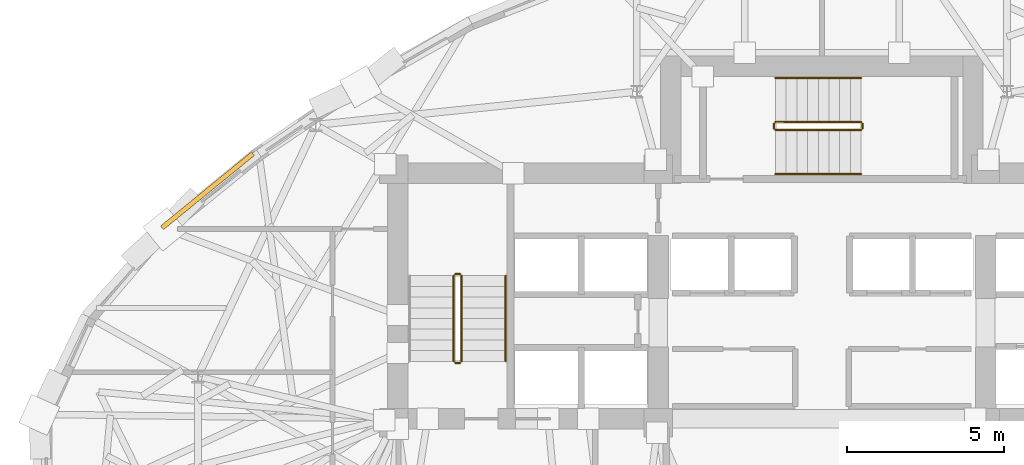
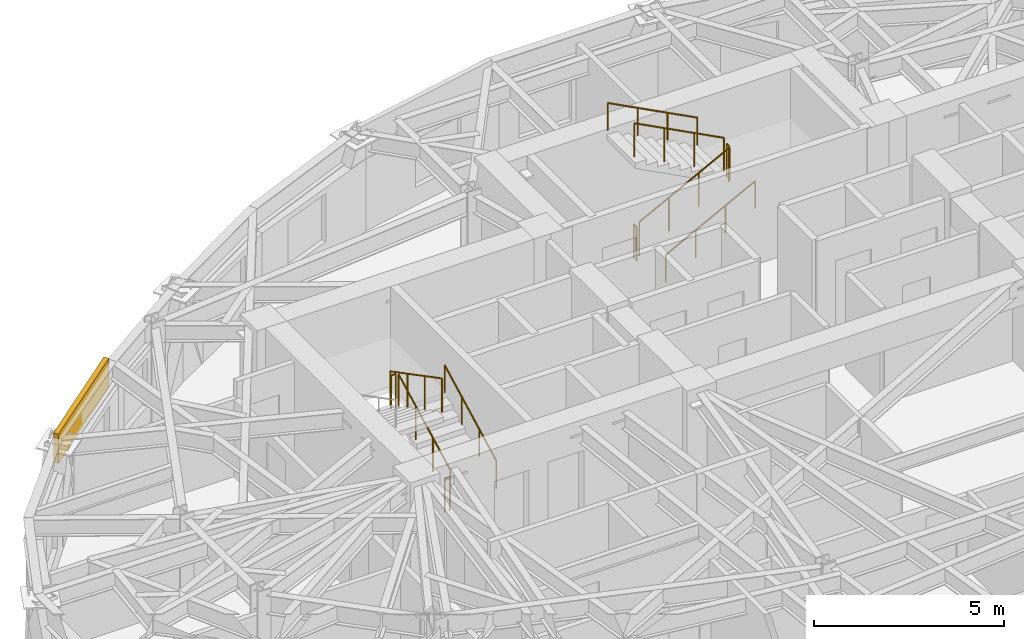
# One storey, part 12 of 14: 11 railings, 1 covering.
"""IFC4 building model written with IfcOpenShell, lengths in metres."""

from ifc_helpers import new_model, si_unit, direction, frame, origin, origin_2d, place, context, subcontext, project, spatial, rectangle, circle, extrude, material, layer, layer_set, type_object, element, save


model = new_model("IFC4")

# Units and contexts
model_context = context("Model", 3, precision=1e-05, world=origin(), true_north=direction((0.0, 1.0)))
body_context = subcontext(model_context, "Body", "Model", "MODEL_VIEW")
ifc_project = project(units=[si_unit("LENGTHUNIT", "METRE"), si_unit("AREAUNIT", "SQUARE_METRE"), si_unit("VOLUMEUNIT", "CUBIC_METRE"), si_unit("PLANEANGLEUNIT", "RADIAN"), si_unit("MASSUNIT", "GRAM", prefix="KILO")], contexts=[model_context])

# Site, building, storey
site_placement = place(None, origin())
site = spatial("IfcSite", under=ifc_project, at=site_placement, CompositionType="ELEMENT")
building_placement = place(site_placement, origin())
building = spatial("IfcBuilding", under=site, at=building_placement, Name="Keldmark Tower", CompositionType="ELEMENT")
storey_placement = place(building_placement, frame((0.0, 0.0, 182.199951171875)))
storey = spatial("IfcBuildingStorey", under=building, at=storey_placement, Name="L50", CompositionType="ELEMENT", Elevation=182.199951171875)

# Covering
ifc_material_1 = material(Name="Honed Kasota Buff Dolomitic Limestone", Category="masonry")
ifc_layer = layer(ifc_material_1, 0.074951171875)
ifc_layer_set = layer_set([ifc_layer], Name="Honed Kasota Buff Dolomitic Limestone")
covering_type = type_object("IfcCoveringType", Name="Kasota Buff Limestone Spandrel Cladding Band", PredefinedType="CLADDING", material=ifc_layer_set)
covering_placement = place(storey_placement, frame((-19.521240234375, 8.769287109375, 2.239013671875), z_axis=(0.0, 0.0, 1.0), x_axis=(-0.775198139082, -0.631718169094, 0.0)))
element("IfcCovering", 1, at=covering_placement, inside=storey, type_object=covering_type, Name="L50 Kasota Limestone Spandrel Band 13", PredefinedType="CLADDING", context=body_context, shape_type="SweptSolid", body=[
    extrude(rectangle(XDim=3.727294921875, YDim=0.14990234375, at=origin_2d()), origin(), (0.0, 0.0, 1.0), 0.94091796875),
])

# Railings
ifc_material_2 = material(Name="Painted Steel ASTM A500 Grade B", Category="steel")
railing_type_1 = type_object("IfcRailingType", Name="Painted Steel Stair Well Guard 1100 mm", PredefinedType="GUARDRAIL", material=ifc_material_2)
railing_1_placement = place(storey_placement, frame((-11.449951171875, 3.35009765625, 0.177734375)))
element("IfcRailing", 2, at=railing_1_placement, inside=storey, type_object=railing_type_1, Name="L50 ST1 stair guard 1", PredefinedType="GUARDRAIL", context=body_context, shape_type="SweptSolid", body=[
    extrude(circle(Radius=0.02392578125, at=origin_2d()), frame((0.0, 0.0, 1.076171875), z_axis=(0.0, 0.886150474775, 0.463397600399), x_axis=(-1.0, 0.0, 0.0)), (0.0, 0.0, 1.0), 3.0693359375),
    extrude(circle(Radius=0.02099609375, at=origin_2d()), origin(), (0.0, 0.0, 1.0), 1.052001953125),
    extrude(circle(Radius=0.02099609375, at=origin_2d()), frame((0.0, 0.90673828125, 0.47412109375)), (0.0, 0.0, 1.0), 1.052001953125),
    extrude(circle(Radius=0.02099609375, at=origin_2d()), frame((0.0, 1.813232421875, 0.9482421875)), (0.0, 0.0, 1.0), 1.052001953125),
    extrude(circle(Radius=0.02099609375, at=origin_2d()), frame((0.0, 2.719970703125, 1.42236328125)), (0.0, 0.0, 1.0), 1.052001953125),
])
railing_2_placement = place(storey_placement, frame((-11.5, 6.1201171875, 1.60009765625)))
element("IfcRailing", 3, at=railing_2_placement, inside=storey, type_object=railing_type_1, Name="L50 ST1 stair guard 2", PredefinedType="GUARDRAIL", context=body_context, shape_type="SweptSolid", body=[
    extrude(circle(Radius=0.02392578125, at=origin_2d()), frame((0.0, 0.0, 1.076171875), z_axis=(-1.0, 0.0, 0.0), x_axis=(0.0, -1.0, 0.0)), (0.0, 0.0, 1.0), 0.14990234375),
    extrude(circle(Radius=0.02099609375, at=origin_2d()), origin(), (0.0, 0.0, 1.0), 1.052001953125),
    extrude(circle(Radius=0.02099609375, at=origin_2d()), frame((-0.14990234375, 0.0, 0.0)), (0.0, 0.0, 1.0), 1.052001953125),
])
railing_3_placement = place(storey_placement, frame((-11.699951171875, 6.070068359375, 1.77783203125)))
element("IfcRailing", 4, at=railing_3_placement, inside=storey, type_object=railing_type_1, Name="L50 ST1 stair guard 3", PredefinedType="GUARDRAIL", context=body_context, shape_type="SweptSolid", body=[
    extrude(circle(Radius=0.02392578125, at=origin_2d()), frame((0.0, 0.0, 1.076171875), z_axis=(0.0, -0.886183135912, 0.463335137482), x_axis=(1.0, 0.0, 0.0)), (0.0, 0.0, 1.0), 3.0693359375),
    extrude(circle(Radius=0.02099609375, at=origin_2d()), origin(), (0.0, 0.0, 1.0), 1.052001953125),
    extrude(circle(Radius=0.02099609375, at=origin_2d()), frame((0.0, -0.90673828125, 0.47412109375)), (0.0, 0.0, 1.0), 1.052001953125),
    extrude(circle(Radius=0.02099609375, at=origin_2d()), frame((0.0, -1.813232421875, 0.947998046875)), (0.0, 0.0, 1.0), 1.052001953125),
    extrude(circle(Radius=0.02099609375, at=origin_2d()), frame((0.0, -2.719970703125, 1.422119140625)), (0.0, 0.0, 1.0), 1.052001953125),
])
railing_4_placement = place(storey_placement, frame((-11.5, 3.300048828125, 0.0)))
element("IfcRailing", 5, at=railing_4_placement, inside=storey, type_object=railing_type_1, Name="L50 ST1 stair guard 4", PredefinedType="GUARDRAIL", context=body_context, shape_type="SweptSolid", body=[
    extrude(circle(Radius=0.02392578125, at=origin_2d()), frame((0.0, 0.0, 1.076171875), z_axis=(-1.0, 0.0, 0.0), x_axis=(0.0, -1.0, 0.0)), (0.0, 0.0, 1.0), 0.14990234375),
    extrude(circle(Radius=0.02099609375, at=origin_2d()), origin(), (0.0, 0.0, 1.0), 1.052001953125),
    extrude(circle(Radius=0.02099609375, at=origin_2d()), frame((-0.14990234375, 0.0, 0.0)), (0.0, 0.0, 1.0), 1.052001953125),
])
railing_5_placement = place(storey_placement, frame((-1.47509765625, 10.699951171875, 0.177734375)))
element("IfcRailing", 6, at=railing_5_placement, inside=storey, type_object=railing_type_1, Name="L50 ST3 stair guard 1", PredefinedType="GUARDRAIL", context=body_context, shape_type="SweptSolid", body=[
    extrude(circle(Radius=0.02392578125, at=origin_2d()), frame((0.0, 0.0, 1.076171875), z_axis=(0.886167553088, 0.0, 0.463364940252), x_axis=(0.0, 1.0, 0.0)), (0.0, 0.0, 1.0), 3.069580078125),
    extrude(circle(Radius=0.02099609375, at=origin_2d()), origin(), (0.0, 0.0, 1.0), 1.052001953125),
    extrude(circle(Radius=0.02099609375, at=origin_2d()), frame((0.90673828125, 0.0, 0.47412109375)), (0.0, 0.0, 1.0), 1.052001953125),
    extrude(circle(Radius=0.02099609375, at=origin_2d()), frame((1.8134765625, 0.0, 0.9482421875)), (0.0, 0.0, 1.0), 1.052001953125),
    extrude(circle(Radius=0.02099609375, at=origin_2d()), frame((2.72021484375, 0.0, 1.42236328125)), (0.0, 0.0, 1.0), 1.052001953125),
])
railing_6_placement = place(storey_placement, frame((1.294921875, 10.75, 1.60009765625)))
element("IfcRailing", 7, at=railing_6_placement, inside=storey, type_object=railing_type_1, Name="L50 ST3 stair guard 2", PredefinedType="GUARDRAIL", context=body_context, shape_type="SweptSolid", body=[
    extrude(circle(Radius=0.02392578125, at=origin_2d()), frame((0.0, 0.0, 1.076171875), z_axis=(0.0, 1.0, 0.0), x_axis=(-1.0, 0.0, 0.0)), (0.0, 0.0, 1.0), 0.14990234375),
    extrude(circle(Radius=0.02099609375, at=origin_2d()), origin(), (0.0, 0.0, 1.0), 1.052001953125),
    extrude(circle(Radius=0.02099609375, at=origin_2d()), frame((0.0, 0.14990234375, 0.0)), (0.0, 0.0, 1.0), 1.052001953125),
])
railing_7_placement = place(storey_placement, frame((1.2451171875, 10.949951171875, 1.77783203125)))
element("IfcRailing", 8, at=railing_7_placement, inside=storey, type_object=railing_type_1, Name="L50 ST3 stair guard 3", PredefinedType="GUARDRAIL", context=body_context, shape_type="SweptSolid", body=[
    extrude(circle(Radius=0.02392578125, at=origin_2d()), frame((0.0, 0.0, 1.076171875), z_axis=(-0.886200210249, 0.0, 0.463302479331), x_axis=(0.0, -1.0, 0.0)), (0.0, 0.0, 1.0), 3.069580078125),
    extrude(circle(Radius=0.02099609375, at=origin_2d()), origin(), (0.0, 0.0, 1.0), 1.052001953125),
    extrude(circle(Radius=0.02099609375, at=origin_2d()), frame((-0.90673828125, 0.0, 0.47412109375)), (0.0, 0.0, 1.0), 1.052001953125),
    extrude(circle(Radius=0.02099609375, at=origin_2d()), frame((-1.8134765625, 0.0, 0.947998046875)), (0.0, 0.0, 1.0), 1.052001953125),
    extrude(circle(Radius=0.02099609375, at=origin_2d()), frame((-2.72021484375, 0.0, 1.422119140625)), (0.0, 0.0, 1.0), 1.052001953125),
])
railing_8_placement = place(storey_placement, frame((-1.52490234375, 10.75, 0.0)))
element("IfcRailing", 9, at=railing_8_placement, inside=storey, type_object=railing_type_1, Name="L50 ST3 stair guard 4", PredefinedType="GUARDRAIL", context=body_context, shape_type="SweptSolid", body=[
    extrude(circle(Radius=0.02392578125, at=origin_2d()), frame((0.0, 0.0, 1.076171875), z_axis=(0.0, 1.0, 0.0), x_axis=(-1.0, 0.0, 0.0)), (0.0, 0.0, 1.0), 0.14990234375),
    extrude(circle(Radius=0.02099609375, at=origin_2d()), origin(), (0.0, 0.0, 1.0), 1.052001953125),
    extrude(circle(Radius=0.02099609375, at=origin_2d()), frame((0.0, 0.14990234375, 0.0)), (0.0, 0.0, 1.0), 1.052001953125),
])
ifc_material_3 = material(Name="Stainless Steel AISI 316L", Category="steel")
railing_type_2 = type_object("IfcRailingType", Name="Stainless Steel Stair Handrail 900 mm", PredefinedType="HANDRAIL", material=ifc_material_3)
railing_9_placement = place(storey_placement, frame((-10.050048828125, 3.35009765625, 0.177734375)))
element("IfcRailing", 10, at=railing_9_placement, inside=storey, type_object=railing_type_2, Name="L50 ST1 stair handrail 1", PredefinedType="HANDRAIL", context=body_context, shape_type="SweptSolid", body=[
    extrude(circle(Radius=0.02392578125, at=origin_2d()), frame((0.0, 0.0, 0.8759765625), z_axis=(0.0, 0.886150474775, 0.463397600399), x_axis=(-1.0, 0.0, 0.0)), (0.0, 0.0, 1.0), 3.0693359375),
    extrude(circle(Radius=0.02099609375, at=origin_2d()), origin(), (0.0, 0.0, 1.0), 0.851806640625),
    extrude(circle(Radius=0.02099609375, at=origin_2d()), frame((0.0, 0.90673828125, 0.47412109375)), (0.0, 0.0, 1.0), 0.851806640625),
    extrude(circle(Radius=0.02099609375, at=origin_2d()), frame((0.0, 1.813232421875, 0.9482421875)), (0.0, 0.0, 1.0), 0.851806640625),
    extrude(circle(Radius=0.02099609375, at=origin_2d()), frame((0.0, 2.719970703125, 1.42236328125)), (0.0, 0.0, 1.0), 0.851806640625),
])
railing_10_placement = place(storey_placement, frame((-1.47509765625, 9.300048828125, 0.177734375)))
element("IfcRailing", 11, at=railing_10_placement, inside=storey, type_object=railing_type_2, Name="L50 ST3 stair handrail 1", PredefinedType="HANDRAIL", context=body_context, shape_type="SweptSolid", body=[
    extrude(circle(Radius=0.02392578125, at=origin_2d()), frame((0.0, 0.0, 0.8759765625), z_axis=(0.886167553088, 0.0, 0.463364940252), x_axis=(0.0, 1.0, 0.0)), (0.0, 0.0, 1.0), 3.069580078125),
    extrude(circle(Radius=0.02099609375, at=origin_2d()), origin(), (0.0, 0.0, 1.0), 0.851806640625),
    extrude(circle(Radius=0.02099609375, at=origin_2d()), frame((0.90673828125, 0.0, 0.47412109375)), (0.0, 0.0, 1.0), 0.851806640625),
    extrude(circle(Radius=0.02099609375, at=origin_2d()), frame((1.8134765625, 0.0, 0.9482421875)), (0.0, 0.0, 1.0), 0.851806640625),
    extrude(circle(Radius=0.02099609375, at=origin_2d()), frame((2.72021484375, 0.0, 1.42236328125)), (0.0, 0.0, 1.0), 0.851806640625),
])
railing_11_placement = place(storey_placement, frame((1.2451171875, 12.35009765625, 1.77783203125)))
element("IfcRailing", 12, at=railing_11_placement, inside=storey, type_object=railing_type_2, Name="L50 ST3 stair handrail 2", PredefinedType="HANDRAIL", context=body_context, shape_type="SweptSolid", body=[
    extrude(circle(Radius=0.02392578125, at=origin_2d()), frame((0.0, 0.0, 0.8759765625), z_axis=(-0.886200210249, 0.0, 0.463302479331), x_axis=(0.0, -1.0, 0.0)), (0.0, 0.0, 1.0), 3.069580078125),
    extrude(circle(Radius=0.02099609375, at=origin_2d()), origin(), (0.0, 0.0, 1.0), 0.851806640625),
    extrude(circle(Radius=0.02099609375, at=origin_2d()), frame((-0.90673828125, 0.0, 0.47412109375)), (0.0, 0.0, 1.0), 0.851806640625),
    extrude(circle(Radius=0.02099609375, at=origin_2d()), frame((-1.8134765625, 0.0, 0.947998046875)), (0.0, 0.0, 1.0), 0.851806640625),
    extrude(circle(Radius=0.02099609375, at=origin_2d()), frame((-2.72021484375, 0.0, 1.422119140625)), (0.0, 0.0, 1.0), 0.851806640625),
])

save(model, "model.ifc")
